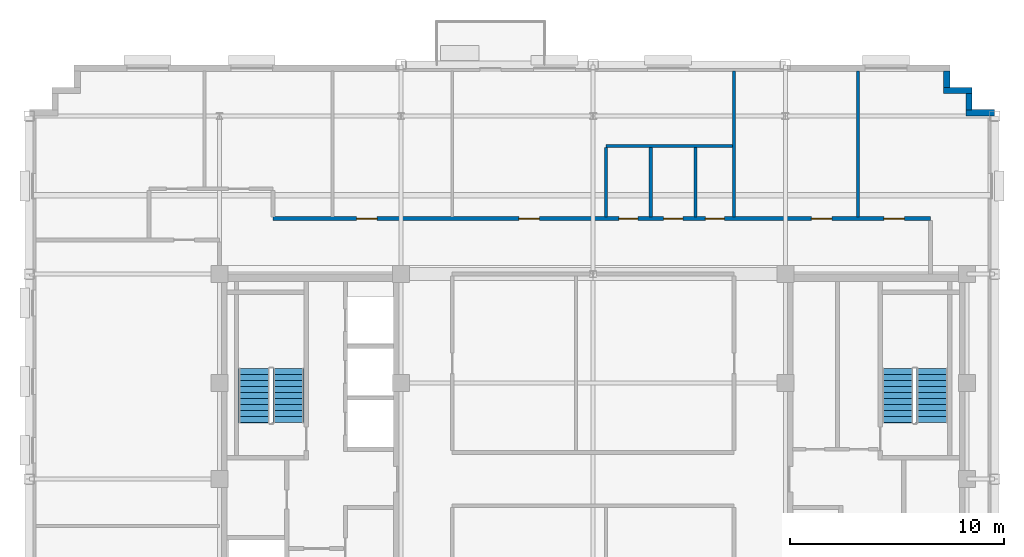
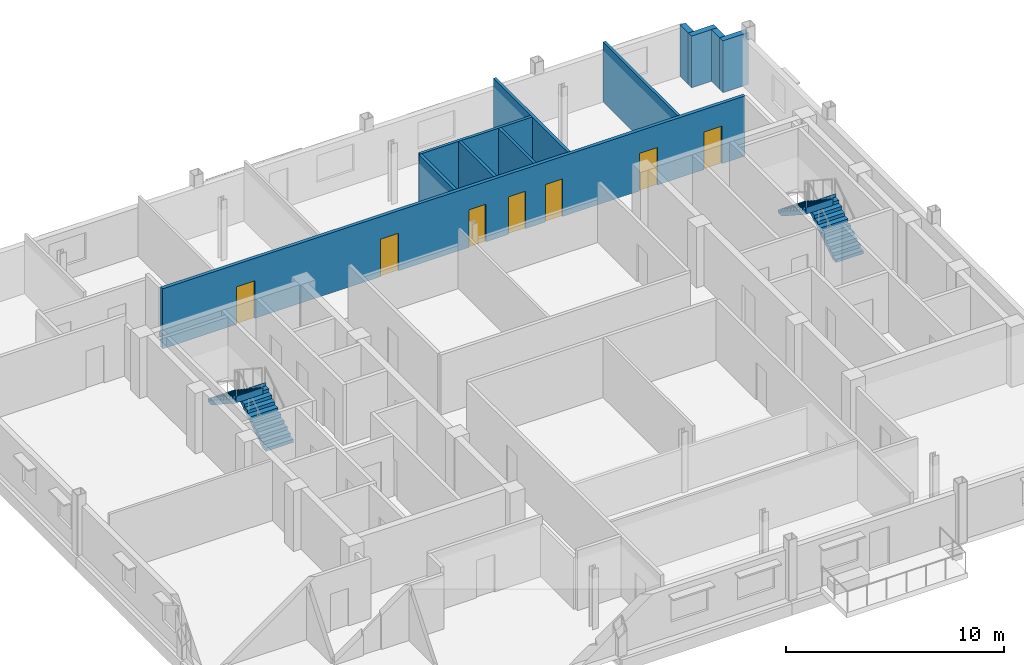
# One storey, part 9 of 13: 11 walls, 7 doors, 4 stair flights, 7 openings, 2 elements without a shape of their own.
"""IFC4 building model written with IfcOpenShell, lengths in metres."""

from ifc_helpers import new_model, si_unit, direction, frame, frame_2d, origin, place, context, subcontext, project, spatial, polyline, rectangle, outline, extrude, source, transform, mapped, material, layer, layer_set, type_object, type_shapes, element, fill, aggregate, save


model = new_model("IFC4")

# Units and contexts
model_context = context("Model", 3, precision=1e-05, world=origin(), true_north=direction((0.0, 1.0)))
body_context = subcontext(model_context, "Body", "Model", "MODEL_VIEW")
ifc_project = project(units=[si_unit("LENGTHUNIT", "METRE"), si_unit("AREAUNIT", "SQUARE_METRE"), si_unit("VOLUMEUNIT", "CUBIC_METRE"), si_unit("PLANEANGLEUNIT", "RADIAN"), si_unit("MASSUNIT", "GRAM", prefix="KILO")], contexts=[model_context])

# Site, building, storey
site_placement = place(None, origin())
site = spatial("IfcSite", under=ifc_project, at=site_placement, CompositionType="ELEMENT")
building_placement = place(site_placement, origin())
building = spatial("IfcBuilding", under=site, at=building_placement, Name="Nuvemarco Arch Tower", CompositionType="ELEMENT")
storey_placement = place(building_placement, frame((0.0, 0.0, 234.699951171875)))
storey = spatial("IfcBuildingStorey", under=building, at=storey_placement, Name="L62", CompositionType="ELEMENT", Elevation=234.699951171875)

# Walls
ifc_material_1 = material(Name="Precast concrete C45/55", Category="concrete")
ifc_layer_1 = layer(ifc_material_1, 0.300048828125, Name="EW-HIGH-300")
ifc_layer_set_1 = layer_set([ifc_layer_1], Name="Precast concrete C45/55")
wall_type_1 = type_object("IfcWallType", Name="EW-HIGH-300", PredefinedType="STANDARD", material=ifc_layer_set_1)
wall_1_placement = place(storey_placement, frame((17.449951171875, 17.14990234375, 0.0), z_axis=(0.0, 0.0, 1.0), x_axis=(1.0, 0.0, 0.0)))
element("IfcWall", 1, at=wall_1_placement, inside=storey, type_object=wall_type_1, Name="L62 exterior precast facade wall 7", PredefinedType="STANDARD", context=body_context, shape_type="SweptSolid", body=[
    extrude(rectangle(XDim=1.35009765625, YDim=0.300048828125, at=frame_2d((0.675048828125, 0.0))), origin(), (0.0, 0.0, 1.0), 2.89208984375),
])
wall_2_placement = place(storey_placement, frame((17.60009765625, 17.2958984375, 0.0), z_axis=(0.0, 0.0, 1.0), x_axis=(0.0, 1.0, 0.0)))
element("IfcWall", 2, at=wall_2_placement, inside=storey, type_object=wall_type_1, Name="L62 exterior precast facade wall 8", PredefinedType="STANDARD", context=body_context, shape_type="SweptSolid", body=[
    extrude(rectangle(XDim=0.758056640625, YDim=0.300048828125, at=frame_2d((0.37890625, 0.0))), origin(), (0.0, 0.0, 1.0), 2.89208984375),
])
wall_3_placement = place(storey_placement, frame((16.39990234375, 18.199951171875, 0.0), z_axis=(0.0, 0.0, 1.0), x_axis=(1.0, 0.0, 0.0)))
element("IfcWall", 3, at=wall_3_placement, inside=storey, type_object=wall_type_1, Name="L62 exterior precast facade wall 9", PredefinedType="STANDARD", context=body_context, shape_type="SweptSolid", body=[
    extrude(rectangle(XDim=1.35009765625, YDim=0.300048828125, at=frame_2d((0.675048828125, 0.0))), origin(), (0.0, 0.0, 1.0), 2.89208984375),
])
wall_4_placement = place(storey_placement, frame((16.550048828125, 18.345947265625, 0.0), z_axis=(0.0, 0.0, 1.0), x_axis=(0.0, 1.0, 0.0)))
element("IfcWall", 4, at=wall_4_placement, inside=storey, type_object=wall_type_1, Name="L62 exterior precast facade wall 10", PredefinedType="STANDARD", context=body_context, shape_type="SweptSolid", body=[
    extrude(rectangle(XDim=0.758056640625, YDim=0.300048828125, at=frame_2d((0.37890625, 0.0))), origin(), (0.0, 0.0, 1.0), 2.89208984375),
])

# Wall, openings, doors
ifc_material_2 = material(Name="Fire-rated gypsum drywall partition")
ifc_layer_2 = layer(ifc_material_2, 0.179931640625, Name="WL-CORR-180")
ifc_layer_set_2 = layer_set([ifc_layer_2], Name="Fire-rated gypsum drywall partition")
wall_type_2 = type_object("IfcWallType", Name="WL-CORR-180", PredefinedType="PARTITIONING", material=ifc_layer_set_2)
wall_5_placement = place(storey_placement, frame((-15.0, 12.199951171875, 0.0), z_axis=(0.0, 0.0, 1.0), x_axis=(1.0, 0.0, 0.0)))
wall_5 = element("IfcWall", 5, at=wall_5_placement, inside=storey, type_object=wall_type_2, Name="L62 interior wall IW-L62-015", PredefinedType="PARTITIONING", context=body_context, shape_type="SweptSolid", body=[
    extrude(rectangle(XDim=30.800048828125, YDim=0.179931640625, at=frame_2d((15.39990234375, 0.0))), origin(), (0.0, 0.0, 1.0), 3.360107421875),
])
opening_1_placement = place(wall_5_placement, frame((11.52001953125, 0.0, 0.0)))
opening_1 = element("IfcOpeningElement", 6, at=opening_1_placement, cuts=wall_5, Name="Opening FD-5", PredefinedType="OPENING", context=body_context, shape_type="SweptSolid", body=[
    extrude(rectangle(XDim=0.9599609375, YDim=2.10009765625, at=frame_2d((0.47998046875, 1.050048828125))), frame((0.0, 0.099853515625, 0.0), z_axis=(0.0, -1.0, 0.0), x_axis=(1.0, 0.0, 0.0)), (0.0, 0.0, 1.0), 0.199951171875),
])
opening_2_placement = place(wall_5_placement, frame((25.219970703125, 0.0, 0.0)))
opening_2 = element("IfcOpeningElement", 7, at=opening_2_placement, cuts=wall_5, Name="Opening FD-5", PredefinedType="OPENING", context=body_context, shape_type="SweptSolid", body=[
    extrude(rectangle(XDim=0.9599609375, YDim=2.10009765625, at=frame_2d((0.47998046875, 1.050048828125))), frame((0.0, 0.099853515625, 0.0), z_axis=(0.0, -1.0, 0.0), x_axis=(1.0, 0.0, 0.0)), (0.0, 0.0, 1.0), 0.199951171875),
])
opening_3_placement = place(wall_5_placement, frame((28.6201171875, 0.0, 0.0)))
opening_3 = element("IfcOpeningElement", 8, at=opening_3_placement, cuts=wall_5, Name="Opening FD-5", PredefinedType="OPENING", context=body_context, shape_type="SweptSolid", body=[
    extrude(rectangle(XDim=0.9599609375, YDim=2.10009765625, at=frame_2d((0.47998046875, 1.050048828125))), frame((0.0, 0.099853515625, 0.0), z_axis=(0.0, -1.0, 0.0), x_axis=(1.0, 0.0, 0.0)), (0.0, 0.0, 1.0), 0.199951171875),
])
opening_4_placement = place(wall_5_placement, frame((3.919921875, 0.0, 0.0)))
opening_4 = element("IfcOpeningElement", 9, at=opening_4_placement, cuts=wall_5, Name="Opening FD-5", PredefinedType="OPENING", context=body_context, shape_type="SweptSolid", body=[
    extrude(rectangle(XDim=0.9599609375, YDim=2.10009765625, at=frame_2d((0.47998046875, 1.050048828125))), frame((0.0, 0.099853515625, 0.0), z_axis=(0.0, -1.0, 0.0), x_axis=(1.0, 0.0, 0.0)), (0.0, 0.0, 1.0), 0.199951171875),
])
opening_5_placement = place(wall_5_placement, frame((16.199951171875, 0.0, 0.0)))
opening_5 = element("IfcOpeningElement", 10, at=opening_5_placement, cuts=wall_5, Name="Opening ID-3", PredefinedType="OPENING", context=body_context, shape_type="SweptSolid", body=[
    extrude(rectangle(XDim=0.89990234375, YDim=2.10009765625, at=frame_2d((0.449951171875, 1.050048828125))), frame((0.0, 0.099853515625, 0.0), z_axis=(0.0, -1.0, 0.0), x_axis=(1.0, 0.0, 0.0)), (0.0, 0.0, 1.0), 0.199951171875),
])
opening_6_placement = place(wall_5_placement, frame((18.300048828125, 0.0, 0.0)))
opening_6 = element("IfcOpeningElement", 11, at=opening_6_placement, cuts=wall_5, Name="Opening ID-3", PredefinedType="OPENING", context=body_context, shape_type="SweptSolid", body=[
    extrude(rectangle(XDim=0.89990234375, YDim=2.10009765625, at=frame_2d((0.449951171875, 1.050048828125))), frame((0.0, 0.099853515625, 0.0), z_axis=(0.0, -1.0, 0.0), x_axis=(1.0, 0.0, 0.0)), (0.0, 0.0, 1.0), 0.199951171875),
])
opening_7_placement = place(wall_5_placement, frame((20.25, 0.0, 0.0)))
opening_7 = element("IfcOpeningElement", 12, at=opening_7_placement, cuts=wall_5, Name="Opening ID-3", PredefinedType="OPENING", context=body_context, shape_type="SweptSolid", body=[
    extrude(rectangle(XDim=0.89990234375, YDim=2.10009765625, at=frame_2d((0.449951171875, 1.050048828125))), frame((0.0, 0.099853515625, 0.0), z_axis=(0.0, -1.0, 0.0), x_axis=(1.0, 0.0, 0.0)), (0.0, 0.0, 1.0), 0.199951171875),
])
ifc_material_3 = material(Name="Timber fire door", Category="wood")
door_type_1 = type_object("IfcDoorType", Name="DR-CORR-FD", OperationType="NOTDEFINED", PredefinedType="DOOR", material=ifc_material_3)
shared_shape_1 = source(origin(), body_context, "Body", "SweptSolid", [
    extrude(rectangle(XDim=0.9599609375, YDim=2.10009765625, at=frame_2d((0.47998046875, 1.050048828125))), frame((0.0, 0.02490234375, 0.0), z_axis=(0.0, -1.0, 0.0), x_axis=(1.0, 0.0, 0.0)), (0.0, 0.0, 1.0), 0.050048828125),
])
type_shapes(door_type_1, [shared_shape_1])
door_1_placement = place(opening_1_placement, origin())
door_1 = element("IfcDoor", 13, at=door_1_placement, inside=storey, type_object=door_type_1, Name="L62 door DR-L62-N_4", OperationType="SINGLE_SWING_RIGHT", OverallHeight=2.10009765625, OverallWidth=0.9599609375, PredefinedType="DOOR", context=body_context, shape_type="MappedRepresentation", body=[
    mapped(shared_shape_1, transform((0.0, 0.0, 0.0), scale=1.0)),
])
fill(opening_1, door_1)
door_2_placement = place(opening_2_placement, origin())
door_2 = element("IfcDoor", 14, at=door_2_placement, inside=storey, type_object=door_type_1, Name="L62 door DR-L62-N_5", OperationType="SINGLE_SWING_LEFT", OverallHeight=2.10009765625, OverallWidth=0.9599609375, PredefinedType="DOOR", context=body_context, shape_type="MappedRepresentation", body=[
    mapped(shared_shape_1, transform((0.0, 0.0, 0.0), scale=1.0)),
])
fill(opening_2, door_2)
door_3_placement = place(opening_3_placement, origin())
door_3 = element("IfcDoor", 15, at=door_3_placement, inside=storey, type_object=door_type_1, Name="L62 door DR-L62-N_6", OperationType="SINGLE_SWING_RIGHT", OverallHeight=2.10009765625, OverallWidth=0.9599609375, PredefinedType="DOOR", context=body_context, shape_type="MappedRepresentation", body=[
    mapped(shared_shape_1, transform((0.0, 0.0, 0.0), scale=1.0)),
])
fill(opening_3, door_3)
door_4_placement = place(opening_4_placement, origin())
door_4 = element("IfcDoor", 16, at=door_4_placement, inside=storey, type_object=door_type_1, Name="L62 door DR-L62-N_3", OperationType="SINGLE_SWING_RIGHT", OverallHeight=2.10009765625, OverallWidth=0.9599609375, PredefinedType="DOOR", context=body_context, shape_type="MappedRepresentation", body=[
    mapped(shared_shape_1, transform((0.0, 0.0, 0.0), scale=1.0)),
])
fill(opening_4, door_4)
ifc_material_4 = material(Name="Veneered oak timber fire door", Category="wood")
door_type_2 = type_object("IfcDoorType", Name="DR-WC-ACC", OperationType="NOTDEFINED", PredefinedType="DOOR", material=ifc_material_4)
shared_shape_2 = source(origin(), body_context, "Body", "SweptSolid", [
    extrude(rectangle(XDim=0.89990234375, YDim=2.10009765625, at=frame_2d((0.449951171875, 1.050048828125))), frame((0.0, 0.02490234375, 0.0), z_axis=(0.0, -1.0, 0.0), x_axis=(1.0, 0.0, 0.0)), (0.0, 0.0, 1.0), 0.050048828125),
])
type_shapes(door_type_2, [shared_shape_2])
door_5_placement = place(opening_5_placement, origin())
door_5 = element("IfcDoor", 17, at=door_5_placement, inside=storey, type_object=door_type_2, Name="L62 door DR-L62-WC_M", OperationType="SINGLE_SWING_RIGHT", OverallHeight=2.10009765625, OverallWidth=0.89990234375, PredefinedType="DOOR", context=body_context, shape_type="MappedRepresentation", body=[
    mapped(shared_shape_2, transform((0.0, 0.0, 0.0), scale=1.0)),
])
fill(opening_5, door_5)
door_6_placement = place(opening_6_placement, origin())
door_6 = element("IfcDoor", 18, at=door_6_placement, inside=storey, type_object=door_type_2, Name="L62 door DR-L62-WC_F", OperationType="SINGLE_SWING_LEFT", OverallHeight=2.10009765625, OverallWidth=0.89990234375, PredefinedType="DOOR", context=body_context, shape_type="MappedRepresentation", body=[
    mapped(shared_shape_2, transform((0.0, 0.0, 0.0), scale=1.0)),
])
fill(opening_6, door_6)
door_7_placement = place(opening_7_placement, origin())
door_7 = element("IfcDoor", 19, at=door_7_placement, inside=storey, type_object=door_type_2, Name="L62 door DR-L62-WC_ACC", OperationType="SINGLE_SWING_RIGHT", OverallHeight=2.10009765625, OverallWidth=0.89990234375, PredefinedType="DOOR", context=body_context, shape_type="MappedRepresentation", body=[
    mapped(shared_shape_2, transform((0.0, 0.0, 0.0), scale=1.0)),
])
fill(opening_7, door_7)

# Walls
ifc_material_5 = material(Name="Gypsum plasterboard partition")
ifc_layer_3 = layer(ifc_material_5, 0.139892578125, Name="WL-ROOM-140")
ifc_layer_set_3 = layer_set([ifc_layer_3], Name="Gypsum plasterboard partition")
wall_type_3 = type_object("IfcWallType", Name="WL-ROOM-140", PredefinedType="PARTITIONING", material=ifc_layer_set_3)
wall_6_placement = place(storey_placement, frame((12.39990234375, 12.285888671875, 0.0), z_axis=(0.0, 0.0, 1.0), x_axis=(0.0, 1.0, 0.0)))
element("IfcWall", 20, at=wall_6_placement, inside=storey, type_object=wall_type_3, Name="L62 interior wall IW-L62-040", PredefinedType="PARTITIONING", context=body_context, shape_type="SweptSolid", body=[
    extrude(rectangle(XDim=6.814208984375, YDim=0.139892578125, at=frame_2d((3.4072265625, 0.0))), origin(), (0.0, 0.0, 1.0), 3.360107421875),
])
ifc_material_6 = material(Name="Moisture-resistant gypsum partition")
ifc_layer_4 = layer(ifc_material_6, 0.14990234375, Name="WL-WET-150")
ifc_layer_set_4 = layer_set([ifc_layer_4], Name="Moisture-resistant gypsum partition")
wall_type_4 = type_object("IfcWallType", Name="WL-WET-150", PredefinedType="PARTITIONING", material=ifc_layer_set_4)
wall_7_placement = place(storey_placement, frame((0.60009765625, 15.60009765625, 0.0), z_axis=(0.0, 0.0, 1.0), x_axis=(1.0, 0.0, 0.0)))
element("IfcWall", 21, at=wall_7_placement, inside=storey, type_object=wall_type_4, Name="L62 interior wall IW-L62-017", PredefinedType="PARTITIONING", context=body_context, shape_type="SweptSolid", body=[
    extrude(rectangle(XDim=5.928955078125, YDim=0.14990234375, at=frame_2d((2.96435546875, 0.0))), origin(), (0.0, 0.0, 1.0), 3.360107421875),
])
for number, where, z_axis, x_axis, name in (
    (22, (0.60009765625, 12.285888671875, 0.0), (0.0, 0.0, 1.0), (0.0, 1.0, 0.0), "L62 interior wall IW-L62-033"),
    (23, (2.699951171875, 12.285888671875, 0.0), (0.0, 0.0, 1.0), (0.0, 1.0, 0.0), "L62 interior wall IW-L62-034"),
    (24, (4.800048828125, 12.285888671875, 0.0), (0.0, 0.0, 1.0), (0.0, 1.0, 0.0), "L62 interior wall IW-L62-035"),
):
    element("IfcWall", number, at=place(storey_placement, frame(where, z_axis=z_axis, x_axis=x_axis)), inside=storey, type_object=wall_type_4, Name=name, PredefinedType="PARTITIONING", context=body_context, shape_type="SweptSolid", body=[
        extrude(rectangle(XDim=3.2431640625, YDim=0.14990234375, at=frame_2d((1.62158203125, 0.0))), origin(), (0.0, 0.0, 1.0), 3.360107421875),
    ])
wall_8_placement = place(storey_placement, frame((6.60009765625, 12.285888671875, 0.0), z_axis=(0.0, 0.0, 1.0), x_axis=(0.0, 1.0, 0.0)))
element("IfcWall", 25, at=wall_8_placement, inside=storey, type_object=wall_type_4, Name="L62 interior wall IW-L62-038", PredefinedType="PARTITIONING", context=body_context, shape_type="SweptSolid", body=[
    extrude(rectangle(XDim=6.814208984375, YDim=0.14990234375, at=frame_2d((3.4072265625, 0.0))), origin(), (0.0, 0.0, 1.0), 3.360107421875),
])

# Stair, stair flights
stair_type = type_object("IfcStairType", Name="ST-CORE-20R", PredefinedType="HALF_TURN_STAIR", material=ifc_material_1)
stair_1_placement = place(storey_placement, origin())
stair_1 = element("IfcStair", 26, at=stair_1_placement, inside=storey, type_object=stair_type, Name="L62 Protected Exit Stair ST-1", PredefinedType="HALF_TURN_STAIR")
stair_flight_type = type_object("IfcStairFlightType", Name="SF-CORE-20R", PredefinedType="STRAIGHT", material=ifc_material_1)
stair_flight_1_placement = place(storey_placement, frame((-14.264892578125, 2.64990234375, 0.0), z_axis=(0.0, 0.0, 1.0), x_axis=(0.0, 1.0, 0.0)))
stair_flight_1 = element("IfcStairFlight", 27, at=stair_flight_1_placement, type_object=stair_flight_type, Name="ST-20R flight 1", NumberOfRisers=10, NumberOfTreads=9, PredefinedType="STRAIGHT", RiserHeight=0.1825, TreadLength=0.28, context=body_context, shape_type="SweptSolid", body=[
    extrude(outline(polyline([(0.0, 0.0), (0.0, 0.1826171875), (0.280029296875, 0.1826171875), (0.280029296875, 0.364990234375), (0.56005859375, 0.364990234375), (0.56005859375, 0.547607421875), (0.840087890625, 0.547607421875), (0.840087890625, 0.72998046875), (1.1201171875, 0.72998046875), (1.1201171875, 0.91259765625), (1.39990234375, 0.91259765625), (1.39990234375, 1.094970703125), (1.679931640625, 1.094970703125), (1.679931640625, 1.277587890625), (1.9599609375, 1.277587890625), (1.9599609375, 1.4599609375), (2.239990234375, 1.4599609375), (2.239990234375, 1.642578125), (2.52001953125, 1.642578125), (2.52001953125, 1.824951171875), (2.5400390625, 1.824951171875), (2.5400390625, 1.45166015625), (0.312744140625, 0.0), (0.0, 0.0)])), frame((0.0, 0.72509765625, 0.0), z_axis=(0.0, -1.0, 0.0), x_axis=(1.0, 0.0, 0.0)), (0.0, 0.0, 1.0), 1.449951171875),
])
stair_flight_2_placement = place(storey_placement, frame((-15.875, 5.169921875, 1.824951171875), z_axis=(0.0, 0.0, 1.0), x_axis=(0.0, -1.0, 0.0)))
stair_flight_2 = element("IfcStairFlight", 28, at=stair_flight_2_placement, type_object=stair_flight_type, Name="ST-20R flight 2", NumberOfRisers=10, NumberOfTreads=9, PredefinedType="STRAIGHT", RiserHeight=0.1825, TreadLength=0.28, context=body_context, shape_type="SweptSolid", body=[
    extrude(outline(polyline([(0.0, 0.0), (0.0, 0.1826171875), (0.280029296875, 0.1826171875), (0.280029296875, 0.364990234375), (0.56005859375, 0.364990234375), (0.56005859375, 0.547607421875), (0.840087890625, 0.547607421875), (0.840087890625, 0.72998046875), (1.1201171875, 0.72998046875), (1.1201171875, 0.91259765625), (1.39990234375, 0.91259765625), (1.39990234375, 1.094970703125), (1.679931640625, 1.094970703125), (1.679931640625, 1.277587890625), (1.9599609375, 1.277587890625), (1.9599609375, 1.4599609375), (2.239990234375, 1.4599609375), (2.239990234375, 1.642578125), (2.52001953125, 1.642578125), (2.52001953125, 1.824951171875), (2.5400390625, 1.824951171875), (2.5400390625, 1.45166015625), (0.312744140625, 0.0), (0.0, 0.0)])), frame((0.0, 0.72509765625, 0.0), z_axis=(0.0, -1.0, 0.0), x_axis=(1.0, 0.0, 0.0)), (0.0, 0.0, 1.0), 1.449951171875),
])
aggregate(stair_1, [stair_flight_1, stair_flight_2])

stair_2_placement = place(storey_placement, origin())
stair_2 = element("IfcStair", 29, at=stair_2_placement, inside=storey, type_object=stair_type, Name="L62 Protected Exit Stair ST-2", PredefinedType="HALF_TURN_STAIR")
stair_flight_3_placement = place(storey_placement, frame((15.875, 2.64990234375, 0.0), z_axis=(0.0, 0.0, 1.0), x_axis=(0.0, 1.0, 0.0)))
stair_flight_3 = element("IfcStairFlight", 30, at=stair_flight_3_placement, type_object=stair_flight_type, Name="ST-20R flight 1", NumberOfRisers=10, NumberOfTreads=9, PredefinedType="STRAIGHT", RiserHeight=0.1825, TreadLength=0.28, context=body_context, shape_type="SweptSolid", body=[
    extrude(outline(polyline([(0.0, 0.0), (0.0, 0.1826171875), (0.280029296875, 0.1826171875), (0.280029296875, 0.364990234375), (0.56005859375, 0.364990234375), (0.56005859375, 0.547607421875), (0.840087890625, 0.547607421875), (0.840087890625, 0.72998046875), (1.1201171875, 0.72998046875), (1.1201171875, 0.91259765625), (1.39990234375, 0.91259765625), (1.39990234375, 1.094970703125), (1.679931640625, 1.094970703125), (1.679931640625, 1.277587890625), (1.9599609375, 1.277587890625), (1.9599609375, 1.4599609375), (2.239990234375, 1.4599609375), (2.239990234375, 1.642578125), (2.52001953125, 1.642578125), (2.52001953125, 1.824951171875), (2.5400390625, 1.824951171875), (2.5400390625, 1.45166015625), (0.312744140625, 0.0), (0.0, 0.0)])), frame((0.0, 0.72509765625, 0.0), z_axis=(0.0, -1.0, 0.0), x_axis=(1.0, 0.0, 0.0)), (0.0, 0.0, 1.0), 1.449951171875),
])
stair_flight_4_placement = place(storey_placement, frame((14.264892578125, 5.169921875, 1.824951171875), z_axis=(0.0, 0.0, 1.0), x_axis=(0.0, -1.0, 0.0)))
stair_flight_4 = element("IfcStairFlight", 31, at=stair_flight_4_placement, type_object=stair_flight_type, Name="ST-20R flight 2", NumberOfRisers=10, NumberOfTreads=9, PredefinedType="STRAIGHT", RiserHeight=0.1825, TreadLength=0.28, context=body_context, shape_type="SweptSolid", body=[
    extrude(outline(polyline([(0.0, 0.0), (0.0, 0.1826171875), (0.280029296875, 0.1826171875), (0.280029296875, 0.364990234375), (0.56005859375, 0.364990234375), (0.56005859375, 0.547607421875), (0.840087890625, 0.547607421875), (0.840087890625, 0.72998046875), (1.1201171875, 0.72998046875), (1.1201171875, 0.91259765625), (1.39990234375, 0.91259765625), (1.39990234375, 1.094970703125), (1.679931640625, 1.094970703125), (1.679931640625, 1.277587890625), (1.9599609375, 1.277587890625), (1.9599609375, 1.4599609375), (2.239990234375, 1.4599609375), (2.239990234375, 1.642578125), (2.52001953125, 1.642578125), (2.52001953125, 1.824951171875), (2.5400390625, 1.824951171875), (2.5400390625, 1.45166015625), (0.312744140625, 0.0), (0.0, 0.0)])), frame((0.0, 0.72509765625, 0.0), z_axis=(0.0, -1.0, 0.0), x_axis=(1.0, 0.0, 0.0)), (0.0, 0.0, 1.0), 1.449951171875),
])
aggregate(stair_2, [stair_flight_3, stair_flight_4])

save(model, "model.ifc")
